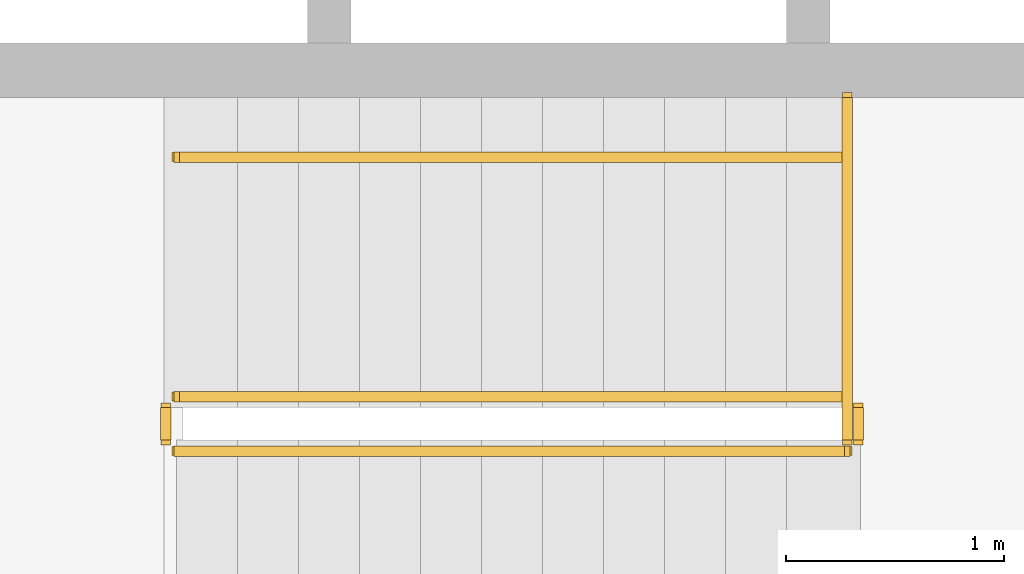
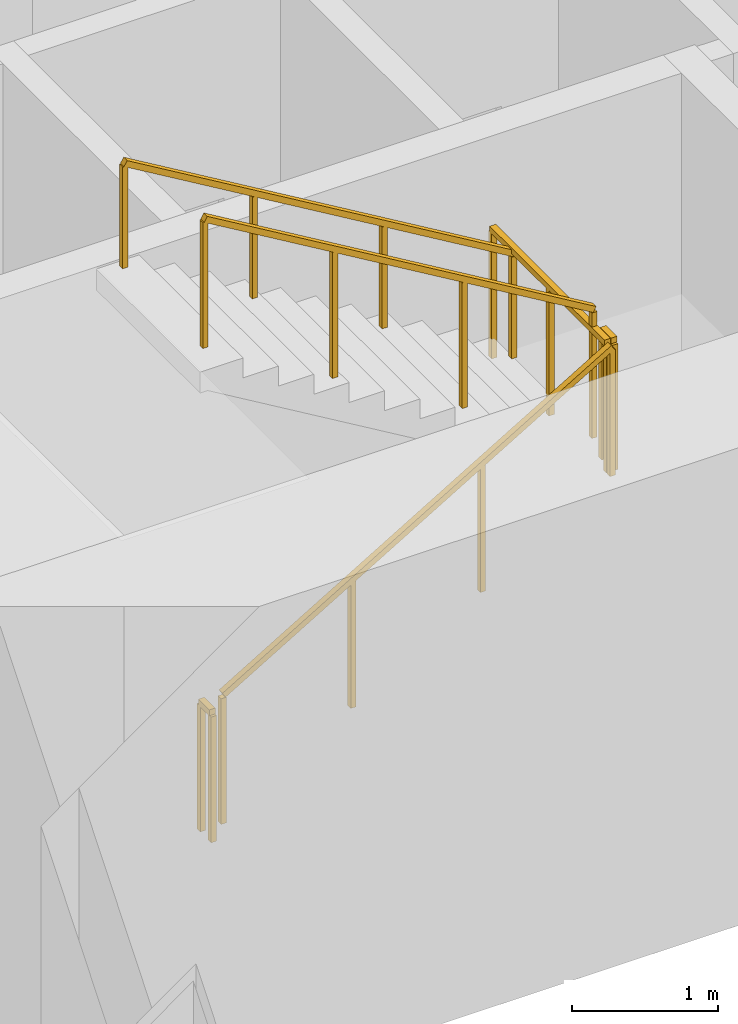
# One storey, part 13 of 16: 6 railings.
"""IFC4 building model written with IfcOpenShell, lengths in metres."""

from ifc_helpers import new_model, si_unit, direction, frame, origin, origin_2d, place, context, subcontext, project, spatial, rectangle, extrude, material, type_object, element, save


model = new_model("IFC4")

# Units and contexts
model_context = context("Model", 3, precision=1e-05, world=origin(), true_north=direction((0.0, 1.0)))
body_context = subcontext(model_context, "Body", "Model", "MODEL_VIEW")
ifc_project = project(units=[si_unit("LENGTHUNIT", "METRE"), si_unit("AREAUNIT", "SQUARE_METRE"), si_unit("VOLUMEUNIT", "CUBIC_METRE"), si_unit("PLANEANGLEUNIT", "RADIAN"), si_unit("MASSUNIT", "GRAM", prefix="KILO")], contexts=[model_context])

# Site, building, storey
site_placement = place(None, origin())
site = spatial("IfcSite", under=ifc_project, at=site_placement, CompositionType="ELEMENT")
building_placement = place(site_placement, origin())
building = spatial("IfcBuilding", under=site, at=building_placement, Name="Sennacour Bend Tower", CompositionType="ELEMENT")
storey_placement = place(building_placement, frame((0.0, 0.0, 95.0)))
storey = spatial("IfcBuildingStorey", under=building, at=storey_placement, Name="L21", CompositionType="ELEMENT", Elevation=95.0)

# Railings
ifc_material = material(Name="Stainless steel", Category="steel")
railing_type_1 = type_object("IfcRailingType", Name="RL-GUARD-1100", PredefinedType="GUARDRAIL", material=ifc_material)
railing_1_placement = place(storey_placement, frame((56.699951171875, 2.449951171875, 0.166748046875)))
element("IfcRailing", 1, at=railing_1_placement, inside=storey, type_object=railing_type_1, Name="L21 SA1 stair guard 1", PredefinedType="GUARDRAIL", context=body_context, shape_type="SweptSolid", body=[
    extrude(rectangle(XDim=0.048095703125, YDim=0.048095703125, at=origin_2d()), frame((0.0, 0.0, 1.076171875), z_axis=(0.859308565015, 0.0, 0.511457515432), x_axis=(0.0, 1.0, 0.0)), (0.0, 0.0, 1.0), 3.58447265625),
    extrude(rectangle(XDim=0.0419921875, YDim=0.0419921875, at=origin_2d()), origin(), (0.0, 0.0, 1.0), 1.052001953125),
    extrude(rectangle(XDim=0.0419921875, YDim=0.0419921875, at=origin_2d()), frame((1.026611328125, 0.0, 0.611083984375)), (0.0, 0.0, 1.0), 1.052001953125),
    extrude(rectangle(XDim=0.0419921875, YDim=0.0419921875, at=origin_2d()), frame((2.053466796875, 0.0, 1.22216796875)), (0.0, 0.0, 1.0), 1.052001953125),
    extrude(rectangle(XDim=0.0419921875, YDim=0.0419921875, at=origin_2d()), frame((3.080078125, 0.0, 1.833251953125)), (0.0, 0.0, 1.0), 1.052001953125),
])
railing_2_placement = place(storey_placement, frame((59.830078125, 2.5, 2.0)))
element("IfcRailing", 2, at=railing_2_placement, inside=storey, type_object=railing_type_1, Name="L21 SA1 stair guard 2", PredefinedType="GUARDRAIL", context=body_context, shape_type="SweptSolid", body=[
    extrude(rectangle(XDim=0.048095703125, YDim=0.048095703125, at=origin_2d()), frame((0.0, 0.0, 1.076171875), z_axis=(0.0, 1.0, 0.0), x_axis=(-1.0, 0.0, 0.0)), (0.0, 0.0, 1.0), 0.14990234375),
    extrude(rectangle(XDim=0.0419921875, YDim=0.0419921875, at=origin_2d()), origin(), (0.0, 0.0, 1.0), 1.052001953125),
    extrude(rectangle(XDim=0.0419921875, YDim=0.0419921875, at=origin_2d()), frame((0.0, 0.14990234375, 0.0)), (0.0, 0.0, 1.0), 1.052001953125),
])
railing_3_placement = place(storey_placement, frame((59.780029296875, 2.699951171875, 2.166748046875)))
element("IfcRailing", 3, at=railing_3_placement, inside=storey, type_object=railing_type_1, Name="L21 SA1 stair guard 4", PredefinedType="GUARDRAIL", context=body_context, shape_type="SweptSolid", body=[
    extrude(rectangle(XDim=0.048095703125, YDim=0.048095703125, at=origin_2d()), frame((0.0, 0.0, 1.076171875), z_axis=(-0.859308565015, 0.0, 0.511457515432), x_axis=(0.0, -1.0, 0.0)), (0.0, 0.0, 1.0), 3.58447265625),
    extrude(rectangle(XDim=0.0419921875, YDim=0.0419921875, at=origin_2d()), origin(), (0.0, 0.0, 1.0), 1.052001953125),
    extrude(rectangle(XDim=0.0419921875, YDim=0.0419921875, at=origin_2d()), frame((-1.026611328125, 0.0, 0.611083984375)), (0.0, 0.0, 1.0), 1.052001953125),
    extrude(rectangle(XDim=0.0419921875, YDim=0.0419921875, at=origin_2d()), frame((-2.053466796875, 0.0, 1.22216796875)), (0.0, 0.0, 1.0), 1.052001953125),
    extrude(rectangle(XDim=0.0419921875, YDim=0.0419921875, at=origin_2d()), frame((-3.080078125, 0.0, 1.833251953125)), (0.0, 0.0, 1.0), 1.052001953125),
])
railing_4_placement = place(storey_placement, frame((56.64990234375, 2.5, 0.0)))
element("IfcRailing", 4, at=railing_4_placement, inside=storey, type_object=railing_type_1, Name="L21 SA1 stair guard 5", PredefinedType="GUARDRAIL", context=body_context, shape_type="SweptSolid", body=[
    extrude(rectangle(XDim=0.048095703125, YDim=0.048095703125, at=origin_2d()), frame((0.0, 0.0, 1.076171875), z_axis=(0.0, 1.0, 0.0), x_axis=(-1.0, 0.0, 0.0)), (0.0, 0.0, 1.0), 0.14990234375),
    extrude(rectangle(XDim=0.0419921875, YDim=0.0419921875, at=origin_2d()), origin(), (0.0, 0.0, 1.0), 1.052001953125),
    extrude(rectangle(XDim=0.0419921875, YDim=0.0419921875, at=origin_2d()), frame((0.0, 0.14990234375, 0.0)), (0.0, 0.0, 1.0), 1.052001953125),
])
railing_5_placement = place(storey_placement, frame((59.780029296875, 2.5, 2.0)))
element("IfcRailing", 5, at=railing_5_placement, inside=storey, type_object=railing_type_1, Name="L21 SA1 landing edge guard 39", PredefinedType="GUARDRAIL", context=body_context, shape_type="SweptSolid", body=[
    extrude(rectangle(XDim=0.048095703125, YDim=0.048095703125, at=origin_2d()), frame((0.0, 0.0, 1.076171875), z_axis=(0.0, 1.0, 0.0), x_axis=(-1.0, 0.0, 0.0)), (0.0, 0.0, 1.0), 1.574951171875),
    extrude(rectangle(XDim=0.0419921875, YDim=0.0419921875, at=origin_2d()), origin(), (0.0, 0.0, 1.0), 1.052001953125),
    extrude(rectangle(XDim=0.0419921875, YDim=0.0419921875, at=origin_2d()), frame((0.0, 0.78759765625, 0.0)), (0.0, 0.0, 1.0), 1.052001953125),
    extrude(rectangle(XDim=0.0419921875, YDim=0.0419921875, at=origin_2d()), frame((0.0, 1.574951171875, 0.0)), (0.0, 0.0, 1.0), 1.052001953125),
])
railing_type_2 = type_object("IfcRailingType", Name="RL-HANDRAIL-900", PredefinedType="HANDRAIL", material=ifc_material)
railing_6_placement = place(storey_placement, frame((59.780029296875, 3.800048828125, 2.166748046875)))
element("IfcRailing", 6, at=railing_6_placement, inside=storey, type_object=railing_type_2, Name="L21 SA1 stair handrail 2", PredefinedType="HANDRAIL", context=body_context, shape_type="SweptSolid", body=[
    extrude(rectangle(XDim=0.048095703125, YDim=0.048095703125, at=origin_2d()), frame((0.0, 0.0, 0.8759765625), z_axis=(-0.859308565015, 0.0, 0.511457515432), x_axis=(0.0, -1.0, 0.0)), (0.0, 0.0, 1.0), 3.58447265625),
    extrude(rectangle(XDim=0.0419921875, YDim=0.0419921875, at=origin_2d()), origin(), (0.0, 0.0, 1.0), 0.851806640625),
    extrude(rectangle(XDim=0.0419921875, YDim=0.0419921875, at=origin_2d()), frame((-1.026611328125, 0.0, 0.611083984375)), (0.0, 0.0, 1.0), 0.851806640625),
    extrude(rectangle(XDim=0.0419921875, YDim=0.0419921875, at=origin_2d()), frame((-2.053466796875, 0.0, 1.22216796875)), (0.0, 0.0, 1.0), 0.851806640625),
    extrude(rectangle(XDim=0.0419921875, YDim=0.0419921875, at=origin_2d()), frame((-3.080078125, 0.0, 1.833251953125)), (0.0, 0.0, 1.0), 0.851806640625),
])

save(model, "model.ifc")
